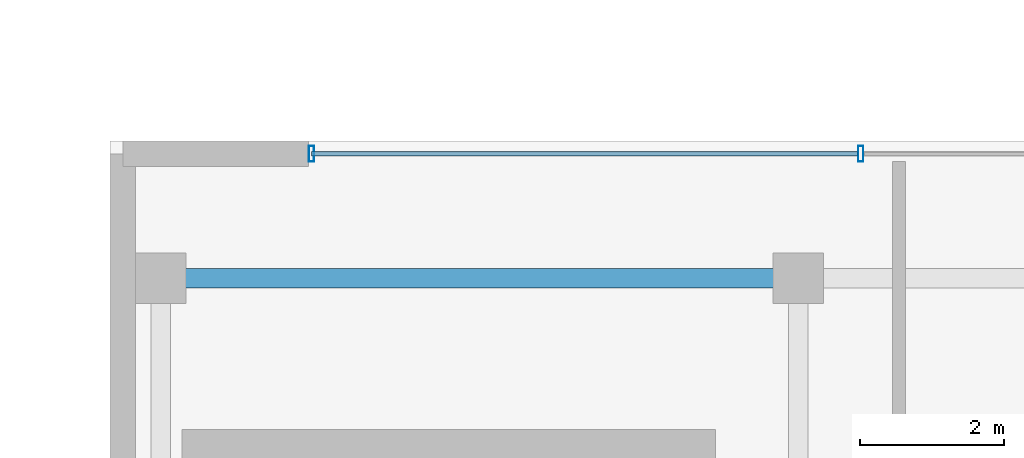
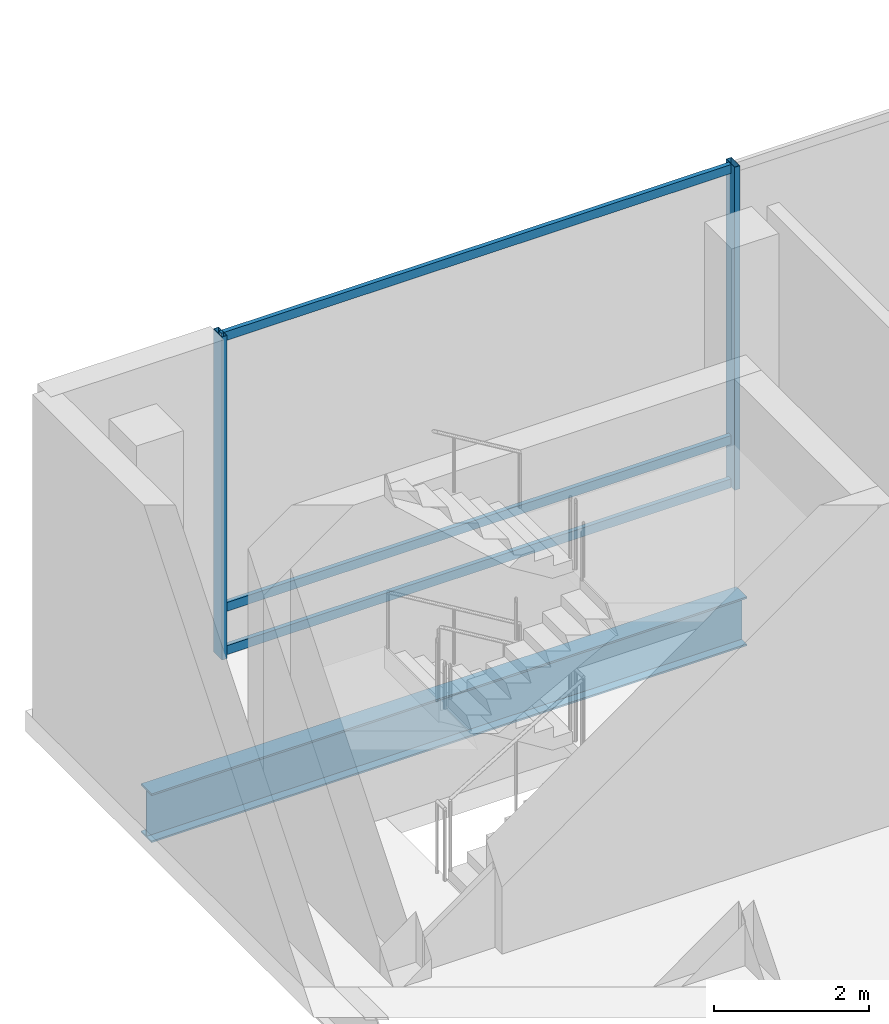
# One storey, part 16 of 32: 5 members, 1 beam, 1 element without a shape of its own.
"""IFC4 building model written with IfcOpenShell, lengths in metres."""

from ifc_helpers import new_model, si_unit, direction, frame, origin, origin_2d, place, context, subcontext, project, spatial, hollow_rectangle, i_section, extrude, material, layer, layer_set, material_profile, profile_set, type_object, element, aggregate, save


model = new_model("IFC4")

# Units and contexts
model_context = context("Model", 3, precision=1e-05, world=origin(), true_north=direction((0.0, 1.0)))
body_context = subcontext(model_context, "Body", "Model", "MODEL_VIEW")
ifc_project = project(units=[si_unit("LENGTHUNIT", "METRE"), si_unit("AREAUNIT", "SQUARE_METRE"), si_unit("VOLUMEUNIT", "CUBIC_METRE"), si_unit("PLANEANGLEUNIT", "RADIAN"), si_unit("MASSUNIT", "GRAM", prefix="KILO")], contexts=[model_context])

# Site, building, storey
site_placement = place(None, origin())
site = spatial("IfcSite", under=ifc_project, at=site_placement, CompositionType="ELEMENT")
building_placement = place(site_placement, origin())
building = spatial("IfcBuilding", under=site, at=building_placement, Name="Barlavira Tower and Art Museum", CompositionType="ELEMENT")
storey_placement = place(building_placement, frame((0.0, 0.0, 6.0)))
storey = spatial("IfcBuildingStorey", under=building, at=storey_placement, Name="L01", CompositionType="ELEMENT", Elevation=6.0)

# Curtain wall, members
ifc_material_1 = material(Name="Low-iron coastal laminated glass", Category="glass")
ifc_layer = layer(ifc_material_1, 0.199951171875, Name="Low-iron coastal laminated glass")
ifc_layer_set = layer_set([ifc_layer], Name="Low-iron coastal laminated glass")
curtain_wall_type = type_object("IfcCurtainWallType", Name="Coastal Art Museum North-Light Curtain Wall", PredefinedType="NOTDEFINED", material=ifc_layer_set)
curtain_wall_placement = place(storey_placement, origin())
curtain_wall = element("IfcCurtainWall", 1, at=curtain_wall_placement, inside=storey, type_object=curtain_wall_type, Name="L01 Curtain Wall CW6-MUS-L01-N", PredefinedType="NOTDEFINED")
ifc_material_2 = material(Name="Pale anodised aluminium", Category="aluminium")
ifc_material_profile_1 = material_profile(ifc_material_2, hollow_rectangle(XDim=0.074951171875, YDim=0.219970703125, WallThickness=0.0048828125, at=origin_2d()), Name="ALU-MULL 75x220x5")
ifc_profile_set_1 = profile_set([ifc_material_profile_1], Name="Pale anodised aluminium")
member_type_1 = type_object("IfcMemberType", Name="Curtain Wall Heavy Pale-Metal Mullion 75x220", PredefinedType="MULLION", material=ifc_profile_set_1)
member_1_placement = place(storey_placement, frame((39.666748046875, 23.824951171875, 0.0), z_axis=(0.0, 0.0, 1.0), x_axis=(-1.0, 0.0, 0.0)))
member_1 = element("IfcMember", 2, at=member_1_placement, type_object=member_type_1, Name="CW6-MUS-L01-N Mullion 2", PredefinedType="MULLION", context=body_context, shape_type="SweptSolid", body=[
    extrude(hollow_rectangle(XDim=0.074951171875, YDim=0.219970703125, WallThickness=0.0048828125, at=origin_2d()), origin(), (0.0, 0.0, 1.0), 5.080078125),
])
member_2_placement = place(storey_placement, frame((32.044921875, 23.824951171875, 0.0), z_axis=(0.0, 0.0, 1.0), x_axis=(-1.0, 0.0, 0.0)))
member_2 = element("IfcMember", 3, at=member_2_placement, type_object=member_type_1, Name="CW6-MUS-L01-N Mullion 3", PredefinedType="MULLION", context=body_context, shape_type="SweptSolid", body=[
    extrude(hollow_rectangle(XDim=0.074951171875, YDim=0.219970703125, WallThickness=0.0048828125, at=origin_2d()), origin(), (0.0, 0.0, 1.0), 5.080078125),
])
ifc_material_profile_2 = material_profile(ifc_material_2, hollow_rectangle(XDim=0.06494140625, YDim=0.139892578125, WallThickness=0.00390625, at=origin_2d()), Name="ALU-TRAN 65x140x4")
ifc_profile_set_2 = profile_set([ifc_material_profile_2], Name="Pale anodised aluminium")
member_type_2 = type_object("IfcMemberType", Name="Curtain Wall Pale-Metal Transom 65x140", PredefinedType="USERDEFINED", material=ifc_profile_set_2)
member_3_placement = place(storey_placement, frame((39.62158203125, 23.824951171875, 0.070068359375), z_axis=(-1.0, 0.0, 0.0), x_axis=(0.0, -1.0, 0.0)))
member_3 = element("IfcMember", 4, at=member_3_placement, type_object=member_type_2, Name="CW6-MUS-L01-N Transom 2.1", ObjectType="TRANSOM", PredefinedType="USERDEFINED", context=body_context, shape_type="SweptSolid", body=[
    extrude(hollow_rectangle(XDim=0.06494140625, YDim=0.139892578125, WallThickness=0.00390625, at=origin_2d()), origin(), (0.0, 0.0, 1.0), 7.57666015625),
])
member_4_placement = place(storey_placement, frame((39.62158203125, 23.824951171875, 0.75), z_axis=(-1.0, 0.0, 0.0), x_axis=(0.0, -1.0, 0.0)))
member_4 = element("IfcMember", 5, at=member_4_placement, type_object=member_type_2, Name="CW6-MUS-L01-N Transom 2.2", ObjectType="TRANSOM", PredefinedType="USERDEFINED", context=body_context, shape_type="SweptSolid", body=[
    extrude(hollow_rectangle(XDim=0.06494140625, YDim=0.139892578125, WallThickness=0.00390625, at=origin_2d()), origin(), (0.0, 0.0, 1.0), 7.57666015625),
])
member_5_placement = place(storey_placement, frame((39.62158203125, 23.824951171875, 5.010009765625), z_axis=(-1.0, 0.0, 0.0), x_axis=(0.0, -1.0, 0.0)))
member_5 = element("IfcMember", 6, at=member_5_placement, type_object=member_type_2, Name="CW6-MUS-L01-N Transom 2.3", ObjectType="TRANSOM", PredefinedType="USERDEFINED", context=body_context, shape_type="SweptSolid", body=[
    extrude(hollow_rectangle(XDim=0.06494140625, YDim=0.139892578125, WallThickness=0.00390625, at=origin_2d()), origin(), (0.0, 0.0, 1.0), 7.57666015625),
])
aggregate(curtain_wall, [member_1, member_2, member_3, member_4, member_5])

# Beam
ifc_material_3 = material(Name="Steel S355", Category="steel")
ifc_material_profile_3 = material_profile(ifc_material_3, i_section(OverallWidth=0.26904296875, OverallDepth=0.76806640625, WebThickness=0.016845703125, FlangeThickness=0.026611328125, at=origin_2d()), Name="W760x220.0")
ifc_profile_set_3 = profile_set([ifc_material_profile_3], Name="Steel S355")
beam_type = type_object("IfcBeamType", Name="Museum Long-Span Gallery Girder W760x220 Steel S355", PredefinedType="BEAM", material=ifc_profile_set_3)
beam_placement = place(storey_placement, frame((29.949951171875, 22.10009765625, -0.7041015625), z_axis=(1.0, 0.0, 0.0), x_axis=(0.0, 1.0, 0.0)))
element("IfcBeam", 7, at=beam_placement, inside=storey, type_object=beam_type, Name="L01 Museum Girder X 6-1", PredefinedType="BEAM", context=body_context, shape_type="SweptSolid", body=[
    extrude(i_section(OverallWidth=0.26904296875, OverallDepth=0.76806640625, WebThickness=0.016845703125, FlangeThickness=0.026611328125, at=origin_2d()), origin(), (0.0, 0.0, 1.0), 8.85009765625),
])

save(model, "model.ifc")
